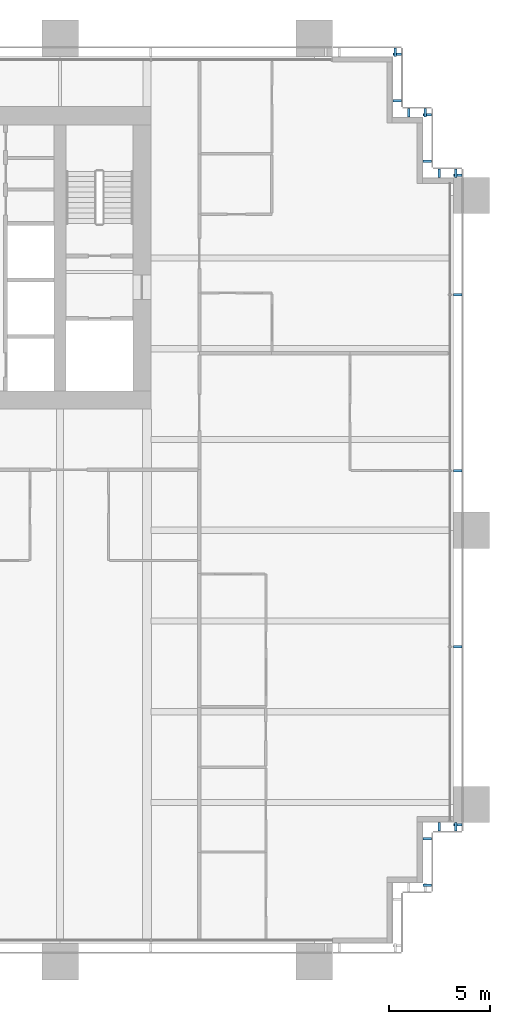
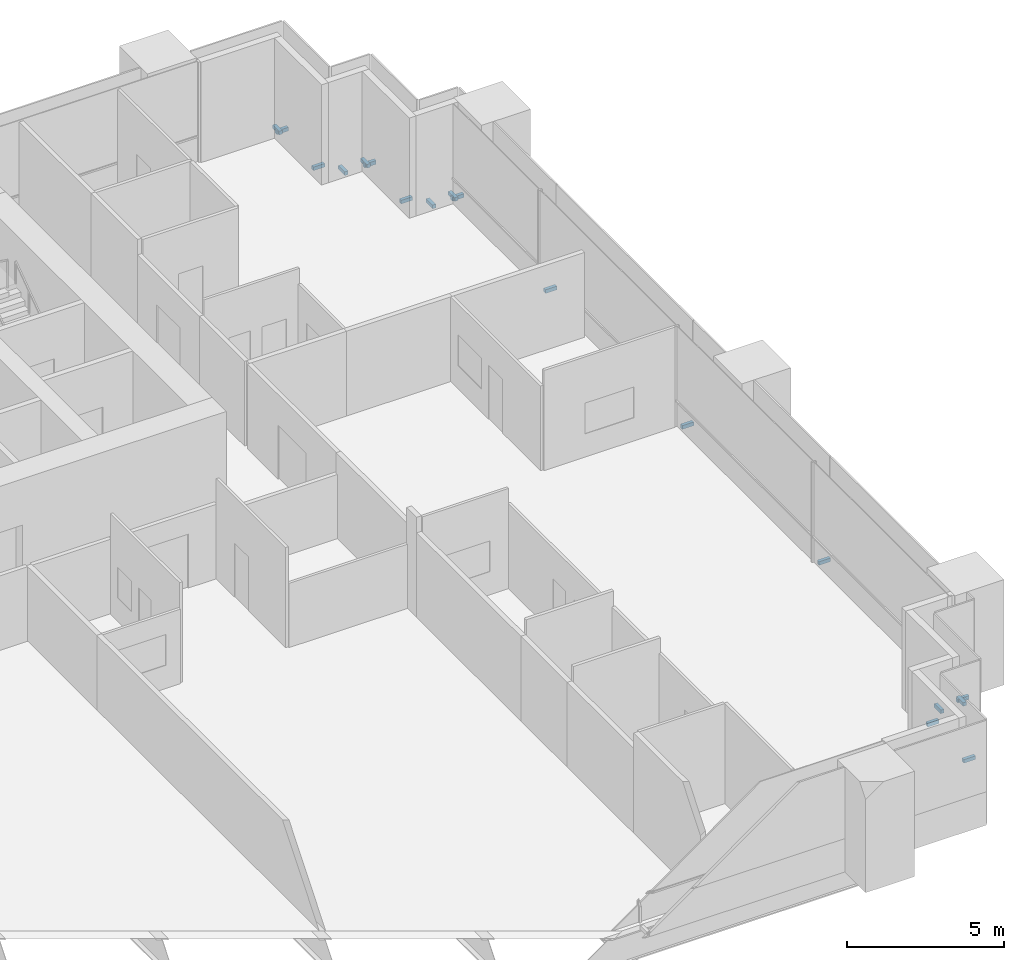
# One storey, part 17 of 20: 18 discrete accessories.
"""IFC4 building model written with IfcOpenShell, lengths in metres."""

from ifc_helpers import new_model, si_unit, direction, frame, origin, origin_2d, place, context, subcontext, project, spatial, rectangle, extrude, element, save


model = new_model("IFC4")

# Units and contexts
model_context = context("Model", 3, precision=1e-05, world=origin(), true_north=direction((0.0, 1.0)))
body_context = subcontext(model_context, "Body", "Model", "MODEL_VIEW")
ifc_project = project(units=[si_unit("LENGTHUNIT", "METRE"), si_unit("AREAUNIT", "SQUARE_METRE"), si_unit("VOLUMEUNIT", "CUBIC_METRE"), si_unit("PLANEANGLEUNIT", "RADIAN"), si_unit("MASSUNIT", "GRAM", prefix="KILO")], contexts=[model_context])

# Site, building, storey
site_placement = place(None, origin())
site = spatial("IfcSite", under=ifc_project, at=site_placement, CompositionType="ELEMENT")
building_placement = place(site_placement, origin())
building = spatial("IfcBuilding", under=site, at=building_placement, Name="Rattan Terrace Tower", CompositionType="ELEMENT")
storey_placement = place(building_placement, frame((0.0, 0.0, 40.60009765625)))
storey = spatial("IfcBuildingStorey", under=building, at=storey_placement, Name="L08", CompositionType="ELEMENT", Elevation=40.60009765625)

# Discrete accessories
for number, where, z_axis, x_axis, name in (
    (1, (31.7099609375, -31.110107421875, -0.169921875), (0.0, 0.0, 1.0), (0.0, 1.0, 0.0), "Panel bracket L08-7"),
    (2, (31.7099609375, -28.7900390625, -0.169921875), (0.0, 0.0, 1.0), (0.0, 1.0, 0.0), "Panel bracket L08-8"),
    (3, (32.2900390625, -28.2099609375, -0.169921875), (0.0, 0.0, 1.0), (1.0, 0.0, 0.0), "Panel bracket L08-9"),
    (4, (33.110107421875, -28.2099609375, -0.169921875), (0.0, 0.0, 1.0), (1.0, 0.0, 0.0), "Panel bracket L08-10"),
    (5, (33.2099609375, -28.110107421875, -0.169921875), (0.0, 0.0, 1.0), (0.0, 1.0, 0.0), "Panel bracket L08-11"),
    (6, (33.2099609375, -19.27294921875, -0.169921875), (0.0, 0.0, 1.0), (0.0, 1.0, 0.0), "Panel bracket L08-12"),
    (7, (33.2099609375, -10.5458984375, -0.169921875), (0.0, 0.0, 1.0), (0.0, 1.0, 0.0), "Panel bracket L08-13"),
    (8, (33.2099609375, -1.819091796875, -0.169921875), (0.0, 0.0, 1.0), (0.0, 1.0, 0.0), "Panel bracket L08-14"),
    (9, (33.2099609375, 4.110107421875, -0.169921875), (0.0, 0.0, 1.0), (0.0, 1.0, 0.0), "Panel bracket L08-15"),
    (10, (33.110107421875, 4.2099609375, -0.169921875), (0.0, 0.0, 1.0), (-1.0, 0.0, 0.0), "Panel bracket L08-16"),
    (11, (32.2900390625, 4.2099609375, -0.169921875), (0.0, 0.0, 1.0), (-1.0, 0.0, 0.0), "Panel bracket L08-17"),
    (12, (31.7099609375, 4.7900390625, -0.169921875), (0.0, 0.0, 1.0), (0.0, 1.0, 0.0), "Panel bracket L08-18"),
    (13, (31.7099609375, 7.110107421875, -0.169921875), (0.0, 0.0, 1.0), (0.0, 1.0, 0.0), "Panel bracket L08-19"),
    (14, (31.610107421875, 7.2099609375, -0.169921875), (0.0, 0.0, 1.0), (-1.0, 0.0, 0.0), "Panel bracket L08-20"),
    (15, (30.7900390625, 7.2099609375, -0.169921875), (0.0, 0.0, 1.0), (-1.0, 0.0, 0.0), "Panel bracket L08-21"),
    (16, (30.2099609375, 7.7900390625, -0.169921875), (0.0, 0.0, 1.0), (0.0, 1.0, 0.0), "Panel bracket L08-22"),
    (17, (30.2099609375, 10.110107421875, -0.169921875), (0.0, 0.0, 1.0), (0.0, 1.0, 0.0), "Panel bracket L08-23"),
    (18, (30.110107421875, 10.2099609375, -0.169921875), (0.0, 0.0, 1.0), (-1.0, 0.0, 0.0), "Panel bracket L08-24"),
):
    element("IfcDiscreteAccessory", number, at=place(storey_placement, frame(where, z_axis=z_axis, x_axis=x_axis)), inside=storey, Name=name, PredefinedType="BRACKET", context=body_context, shape_type="SweptSolid", body=[
        extrude(rectangle(XDim=0.1201171875, YDim=0.419921875, at=origin_2d()), origin(), (0.0, 0.0, 1.0), 0.139892578125),
    ])

save(model, "model.ifc")
